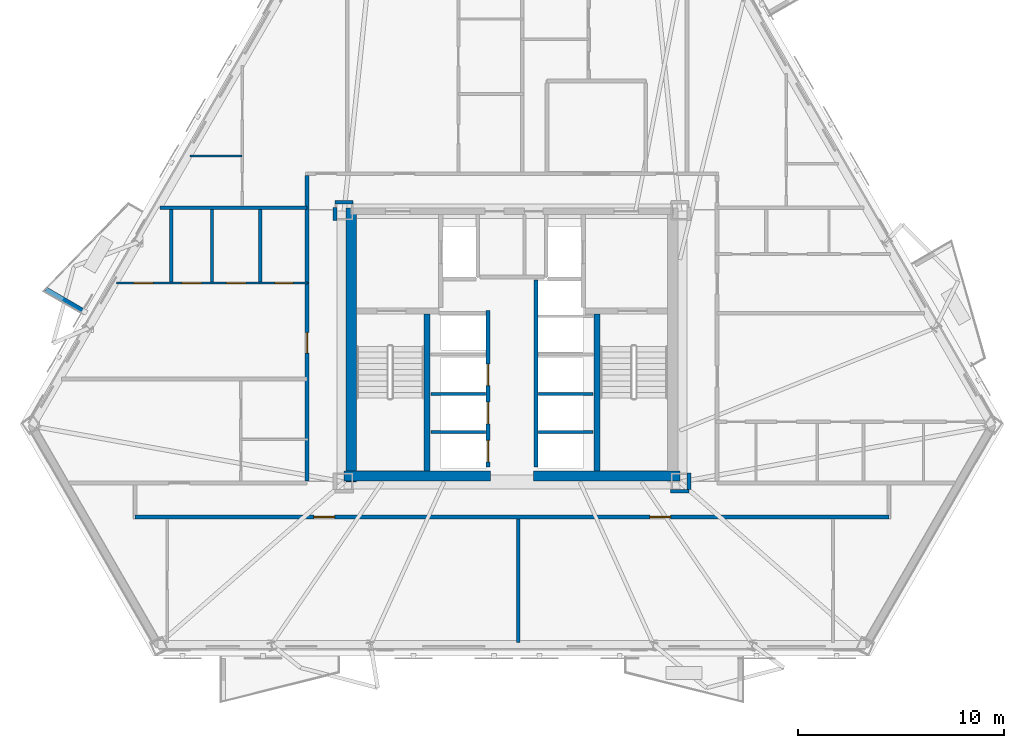
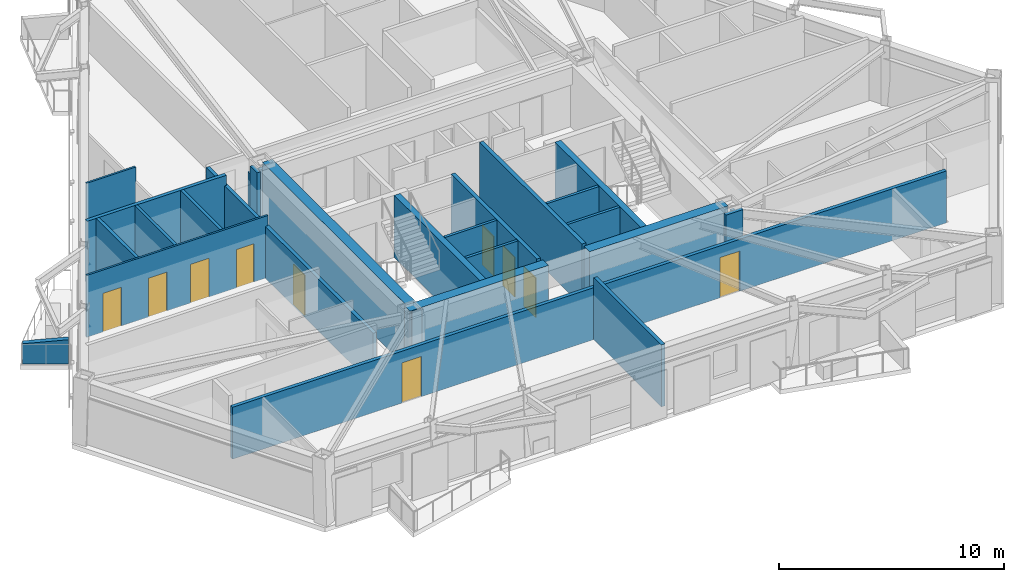
# One storey, part 3 of 11: 25 walls, 10 doors, 10 openings.
"""IFC4 building model written with IfcOpenShell, lengths in metres."""

from ifc_helpers import new_model, si_unit, direction, frame, frame_2d, origin, place, context, subcontext, project, spatial, polyline, rectangle, outline, extrude, material, layer, layer_set, type_object, element, fill, save


model = new_model("IFC4")

# Units and contexts
model_context = context("Model", 3, precision=1e-05, world=origin(), true_north=direction((0.0, 1.0)))
body_context = subcontext(model_context, "Body", "Model", "MODEL_VIEW")
ifc_project = project(units=[si_unit("LENGTHUNIT", "METRE"), si_unit("AREAUNIT", "SQUARE_METRE"), si_unit("VOLUMEUNIT", "CUBIC_METRE"), si_unit("PLANEANGLEUNIT", "RADIAN"), si_unit("MASSUNIT", "GRAM", prefix="KILO")], contexts=[model_context])

# Site, building, storey
site_placement = place(None, origin())
site = spatial("IfcSite", under=ifc_project, at=site_placement, CompositionType="ELEMENT")
building_placement = place(site_placement, origin())
building = spatial("IfcBuilding", under=site, at=building_placement, Name="Oramaril Tower", CompositionType="ELEMENT")
storey_placement = place(building_placement, frame((0.0, 0.0, 89.699951171875)))
storey = spatial("IfcBuildingStorey", under=building, at=storey_placement, Name="L23", CompositionType="ELEMENT", Elevation=89.699951171875)

# Wall
ifc_material_1 = material(Name="Concrete C40/50", Category="concrete")
ifc_layer_1 = layer(ifc_material_1, 0.22998046875)
ifc_layer_set_1 = layer_set([ifc_layer_1], Name="WT-PRP23")
wall_type_1 = type_object("IfcWallType", Name="WT-PRP23", PredefinedType="PARAPET", material=ifc_layer_set_1)
wall_1_placement = place(storey_placement, frame((16.64208984375, 19.32763671875, 0.0), z_axis=(0.0, 0.0, 1.0), x_axis=(-0.866042246008, 0.499970827278, 0.0)))
element("IfcWall", 1, at=wall_1_placement, inside=storey, type_object=wall_type_1, Name="L23 Trapezoidal Balcony Frame Cheek L23-BAL-NW2-R", PredefinedType="PARAPET", context=body_context, shape_type="SweptSolid", body=[
    extrude(outline(polyline([(0.0, 0.0), (2.0419921875, 0.0), (2.0419921875, 1.10009765625), (0.0, 1.320068359375), (0.0, 0.0)])), frame((0.0, 0.114990234375, 0.0), z_axis=(0.0, -1.0, 0.0), x_axis=(1.0, 0.0, 0.0)), (0.0, 0.0, 1.0), 0.22998046875),
])

# Wall, openings, doors
ifc_material_2 = material(Name="Acoustic Gypsum Board Partition")
ifc_layer_2 = layer(ifc_material_2, 0.10009765625)
ifc_layer_set_2 = layer_set([ifc_layer_2], Name="WT-PT10")
wall_type_2 = type_object("IfcWallType", Name="WT-PT10", PredefinedType="PARTITIONING", material=ifc_layer_set_2)
wall_2_placement = place(storey_placement, frame((18.302734375, 20.659912109375, 0.0), z_axis=(0.0, 0.0, 1.0), x_axis=(1.0, 0.0, 0.0)))
wall_2 = element("IfcWall", 2, at=wall_2_placement, inside=storey, type_object=wall_type_2, Name="L23 Interior Partition PT-10", PredefinedType="PARTITIONING", context=body_context, shape_type="SweptSolid", body=[
    extrude(rectangle(XDim=9.29736328125, YDim=0.10009765625, at=frame_2d((4.648681640625, 0.0))), origin(), (0.0, 0.0, 1.0), 3.360107421875),
])
opening_1_placement = place(wall_2_placement, frame((0.8251953125, 0.0, 0.0)))
opening_1 = element("IfcOpeningElement", 3, at=opening_1_placement, cuts=wall_2, Name="Opening D-L23-09", PredefinedType="OPENING", context=body_context, shape_type="SweptSolid", body=[
    extrude(rectangle(XDim=0.949951171875, YDim=2.10009765625, at=frame_2d((0.47509765625, 1.050048828125))), frame((0.0, 0.050048828125, 0.0), z_axis=(0.0, -1.0, 0.0), x_axis=(1.0, 0.0, 0.0)), (0.0, 0.0, 1.0), 0.10009765625),
])
opening_2_placement = place(wall_2_placement, frame((3.16748046875, 0.0, 0.0)))
opening_2 = element("IfcOpeningElement", 4, at=opening_2_placement, cuts=wall_2, Name="Opening D-L23-10", PredefinedType="OPENING", context=body_context, shape_type="SweptSolid", body=[
    extrude(rectangle(XDim=0.949951171875, YDim=2.10009765625, at=frame_2d((0.47509765625, 1.050048828125))), frame((0.0, 0.050048828125, 0.0), z_axis=(0.0, -1.0, 0.0), x_axis=(1.0, 0.0, 0.0)), (0.0, 0.0, 1.0), 0.10009765625),
])
opening_3_placement = place(wall_2_placement, frame((5.32568359375, 0.0, 0.0)))
opening_3 = element("IfcOpeningElement", 5, at=opening_3_placement, cuts=wall_2, Name="Opening D-L23-11", PredefinedType="OPENING", context=body_context, shape_type="SweptSolid", body=[
    extrude(rectangle(XDim=0.949951171875, YDim=2.10009765625, at=frame_2d((0.47509765625, 1.050048828125))), frame((0.0, 0.050048828125, 0.0), z_axis=(0.0, -1.0, 0.0), x_axis=(1.0, 0.0, 0.0)), (0.0, 0.0, 1.0), 0.10009765625),
])
opening_4_placement = place(wall_2_placement, frame((7.686279296875, 0.0, 0.0)))
opening_4 = element("IfcOpeningElement", 6, at=opening_4_placement, cuts=wall_2, Name="Opening D-L23-12", PredefinedType="OPENING", context=body_context, shape_type="SweptSolid", body=[
    extrude(rectangle(XDim=0.8798828125, YDim=2.080078125, at=frame_2d((0.43994140625, 1.0400390625))), frame((0.0, 0.050048828125, 0.0), z_axis=(0.0, -1.0, 0.0), x_axis=(1.0, 0.0, 0.0)), (0.0, 0.0, 1.0), 0.10009765625),
])
ifc_material_3 = material(Name="FSC Brazilian Freijo Hardwood", Category="wood")
door_type_1 = type_object("IfcDoorType", Name="DT-BATH", OperationType="NOTDEFINED", PredefinedType="DOOR", material=ifc_material_3)
door_1_placement = place(opening_4_placement, origin())
door_1 = element("IfcDoor", 7, at=door_1_placement, inside=storey, type_object=door_type_1, Name="L23 Flat L23-U4 Bathroom Door D-L23-12", OperationType="SINGLE_SWING_RIGHT", OverallHeight=2.080078125, OverallWidth=0.8798828125, PredefinedType="DOOR", context=body_context, shape_type="SweptSolid", body=[
    extrude(rectangle(XDim=0.8798828125, YDim=2.080078125, at=frame_2d((0.43994140625, 1.0400390625))), frame((0.0, 0.02490234375, 0.0), z_axis=(0.0, -1.0, 0.0), x_axis=(1.0, 0.0, 0.0)), (0.0, 0.0, 1.0), 0.050048828125),
])
fill(opening_4, door_1)
ifc_material_4 = material(Name="FSC Brazilian Freijo Hardwood", Category="wood")
door_type_2 = type_object("IfcDoorType", Name="DT-STDY", OperationType="NOTDEFINED", PredefinedType="DOOR", material=ifc_material_4)
door_2_placement = place(opening_1_placement, origin())
door_2 = element("IfcDoor", 8, at=door_2_placement, inside=storey, type_object=door_type_2, Name="L23 Flat L23-U4 Breakfast Dining Room Door D-L23-09", OperationType="SINGLE_SWING_LEFT", OverallHeight=2.10009765625, OverallWidth=0.949951171875, PredefinedType="DOOR", context=body_context, shape_type="SweptSolid", body=[
    extrude(rectangle(XDim=0.949951171875, YDim=2.10009765625, at=frame_2d((0.47509765625, 1.050048828125))), frame((0.0, 0.02490234375, 0.0), z_axis=(0.0, -1.0, 0.0), x_axis=(1.0, 0.0, 0.0)), (0.0, 0.0, 1.0), 0.050048828125),
])
fill(opening_1, door_2)
door_3_placement = place(opening_2_placement, origin())
door_3 = element("IfcDoor", 9, at=door_3_placement, inside=storey, type_object=door_type_2, Name="L23 Flat L23-U4 Dining Room Door D-L23-10", OperationType="SINGLE_SWING_RIGHT", OverallHeight=2.10009765625, OverallWidth=0.949951171875, PredefinedType="DOOR", context=body_context, shape_type="SweptSolid", body=[
    extrude(rectangle(XDim=0.949951171875, YDim=2.10009765625, at=frame_2d((0.47509765625, 1.050048828125))), frame((0.0, 0.02490234375, 0.0), z_axis=(0.0, -1.0, 0.0), x_axis=(1.0, 0.0, 0.0)), (0.0, 0.0, 1.0), 0.050048828125),
])
fill(opening_2, door_3)
door_4_placement = place(opening_3_placement, origin())
door_4 = element("IfcDoor", 10, at=door_4_placement, inside=storey, type_object=door_type_2, Name="L23 Flat L23-U4 Kitchen Door D-L23-11", OperationType="SINGLE_SWING_LEFT", OverallHeight=2.10009765625, OverallWidth=0.949951171875, PredefinedType="DOOR", context=body_context, shape_type="SweptSolid", body=[
    extrude(rectangle(XDim=0.949951171875, YDim=2.10009765625, at=frame_2d((0.47509765625, 1.050048828125))), frame((0.0, 0.02490234375, 0.0), z_axis=(0.0, -1.0, 0.0), x_axis=(1.0, 0.0, 0.0)), (0.0, 0.0, 1.0), 0.050048828125),
])
fill(opening_3, door_4)

# Walls
wall_3_placement = place(storey_placement, frame((21.87060546875, 26.840087890625, 0.0), z_axis=(0.0, 0.0, 1.0), x_axis=(1.0, 0.0, 0.0)))
element("IfcWall", 11, at=wall_3_placement, inside=storey, type_object=wall_type_2, Name="L23 Interior Partition PT-10", PredefinedType="PARTITIONING", context=body_context, shape_type="SweptSolid", body=[
    extrude(rectangle(XDim=2.526611328125, YDim=0.10009765625, at=frame_2d((1.26318359375, 0.0))), origin(), (0.0, 0.0, 1.0), 3.360107421875),
])
ifc_material_5 = material(Name="Acoustic Gypsum Board Partition")
ifc_layer_3 = layer(ifc_material_5, 0.139892578125)
ifc_layer_set_3 = layer_set([ifc_layer_3], Name="WT-PT14")
wall_type_3 = type_object("IfcWallType", Name="WT-PT14", PredefinedType="PARTITIONING", material=ifc_layer_set_3)
for number, where, z_axis, x_axis, name in (
    (12, (33.56005859375, 13.419921875, 0.0), (0.0, 0.0, 1.0), (1.0, 0.0, 0.0), "L23 West Lift Divider"),
    (13, (33.56005859375, 15.27001953125, 0.0), (0.0, 0.0, 1.0), (1.0, 0.0, 0.0), "L23 West Lift Divider"),
    (14, (38.780029296875, 13.419921875, 0.0), (0.0, 0.0, 1.0), (1.0, 0.0, 0.0), "L23 East Lift Divider"),
    (15, (38.780029296875, 15.27001953125, 0.0), (0.0, 0.0, 1.0), (1.0, 0.0, 0.0), "L23 East Lift Divider"),
):
    element("IfcWall", number, at=place(storey_placement, frame(where, z_axis=z_axis, x_axis=x_axis)), inside=storey, type_object=wall_type_3, Name=name, PredefinedType="PARTITIONING", context=body_context, shape_type="SweptSolid", body=[
        extrude(rectangle(XDim=2.659912109375, YDim=0.139892578125, at=frame_2d((1.330078125, 0.0))), origin(), (0.0, 0.0, 1.0), 3.360107421875),
    ])
wall_4_placement = place(storey_placement, frame((22.929931640625, 20.714111328125, 0.0), z_axis=(0.0, 0.0, 1.0), x_axis=(0.0, 1.0, 0.0)))
element("IfcWall", 16, at=wall_4_placement, inside=storey, type_object=wall_type_3, Name="L23 Interior Partition PT-14", PredefinedType="PARTITIONING", context=body_context, shape_type="SweptSolid", body=[
    extrude(rectangle(XDim=3.511962890625, YDim=0.139892578125, at=frame_2d((1.755859375, 0.0))), origin(), (0.0, 0.0, 1.0), 3.360107421875),
])
ifc_material_6 = material(Name="Acoustic Gypsum Board Partition")
ifc_layer_4 = layer(ifc_material_6, 0.159912109375)
ifc_layer_set_4 = layer_set([ifc_layer_4], Name="WT-PT16")
wall_type_4 = type_object("IfcWallType", Name="WT-PT16", PredefinedType="PARTITIONING", material=ifc_layer_set_4)
for number, where, z_axis, x_axis, name in (
    (17, (20.9599609375, 20.714111328125, 0.0), (0.0, 0.0, 1.0), (0.0, 1.0, 0.0), "L23 Interior Partition PT-16"),
    (18, (25.280029296875, 20.714111328125, 0.0), (0.0, 0.0, 1.0), (0.0, 1.0, 0.0), "L23 Interior Partition PT-16"),
):
    element("IfcWall", number, at=place(storey_placement, frame(where, z_axis=z_axis, x_axis=x_axis)), inside=storey, type_object=wall_type_4, Name=name, PredefinedType="PARTITIONING", context=body_context, shape_type="SweptSolid", body=[
        extrude(rectangle(XDim=3.511962890625, YDim=0.159912109375, at=frame_2d((1.755859375, 0.0))), origin(), (0.0, 0.0, 1.0), 3.360107421875),
    ])

# Wall, openings, doors
ifc_material_7 = material(Name="Autoclaved Cellular Concrete Block", Category="concrete")
ifc_layer_5 = layer(ifc_material_7, 0.179931640625)
ifc_layer_set_5 = layer_set([ifc_layer_5], Name="WT-PT18")
wall_type_5 = type_object("IfcWallType", Name="WT-PT18", PredefinedType="PARTITIONING", material=ifc_layer_set_5)
wall_5_placement = place(storey_placement, frame((19.199951171875, 9.300048828125, 0.0), z_axis=(0.0, 0.0, 1.0), x_axis=(1.0, 0.0, 0.0)))
wall_5 = element("IfcWall", 19, at=wall_5_placement, inside=storey, type_object=wall_type_5, Name="L23 Interior Partition PT-18", PredefinedType="PARTITIONING", context=body_context, shape_type="SweptSolid", body=[
    extrude(rectangle(XDim=36.60009765625, YDim=0.179931640625, at=frame_2d((18.300048828125, 0.0))), origin(), (0.0, 0.0, 1.0), 2.81396484375),
])
opening_5_placement = place(wall_5_placement, frame((8.684814453125, 0.0, 0.0)))
opening_5 = element("IfcOpeningElement", 20, at=opening_5_placement, cuts=wall_5, Name="Opening D-L23-01", PredefinedType="OPENING", context=body_context, shape_type="SweptSolid", body=[
    extrude(rectangle(XDim=1.0, YDim=2.179931640625, at=frame_2d((0.5, 1.08984375))), frame((0.0, 0.08984375, 0.0), z_axis=(0.0, -1.0, 0.0), x_axis=(1.0, 0.0, 0.0)), (0.0, 0.0, 1.0), 0.179931640625),
])
opening_6_placement = place(wall_5_placement, frame((24.997314453125, 0.0, 0.0)))
opening_6 = element("IfcOpeningElement", 21, at=opening_6_placement, cuts=wall_5, Name="Opening D-L23-02", PredefinedType="OPENING", context=body_context, shape_type="SweptSolid", body=[
    extrude(rectangle(XDim=1.0, YDim=2.179931640625, at=frame_2d((0.5, 1.08984375))), frame((0.0, 0.08984375, 0.0), z_axis=(0.0, -1.0, 0.0), x_axis=(1.0, 0.0, 0.0)), (0.0, 0.0, 1.0), 0.179931640625),
])
ifc_material_8 = material(Name="FSC Brazilian Freijo Hardwood", Category="wood")
door_type_3 = type_object("IfcDoorType", Name="DT-APT", OperationType="NOTDEFINED", PredefinedType="DOOR", material=ifc_material_8)
door_5_placement = place(opening_5_placement, origin())
door_5 = element("IfcDoor", 22, at=door_5_placement, inside=storey, type_object=door_type_3, Name="L23 Flat L23-U1 Kitchen and Studio Apartment Door D-L23-01", OperationType="SINGLE_SWING_LEFT", OverallHeight=2.179931640625, OverallWidth=1.0, PredefinedType="DOOR", context=body_context, shape_type="SweptSolid", body=[
    extrude(rectangle(XDim=1.0, YDim=2.179931640625, at=frame_2d((0.5, 1.08984375))), frame((0.0, 0.02490234375, 0.0), z_axis=(0.0, -1.0, 0.0), x_axis=(1.0, 0.0, 0.0)), (0.0, 0.0, 1.0), 0.050048828125),
])
fill(opening_5, door_5)
door_6_placement = place(opening_6_placement, origin())
door_6 = element("IfcDoor", 23, at=door_6_placement, inside=storey, type_object=door_type_3, Name="L23 Flat L23-U2 Kitchen and Studio Apartment Door D-L23-02", OperationType="SINGLE_SWING_RIGHT", OverallHeight=2.179931640625, OverallWidth=1.0, PredefinedType="DOOR", context=body_context, shape_type="SweptSolid", body=[
    extrude(rectangle(XDim=1.0, YDim=2.179931640625, at=frame_2d((0.5, 1.08984375))), frame((0.0, 0.02490234375, 0.0), z_axis=(0.0, -1.0, 0.0), x_axis=(1.0, 0.0, 0.0)), (0.0, 0.0, 1.0), 0.050048828125),
])
fill(opening_6, door_6)

# Walls
wall_6_placement = place(storey_placement, frame((45.205078125, 10.550048828125, 0.0), z_axis=(0.0, 0.0, 1.0), x_axis=(1.0, 0.0, 0.0)))
element("IfcWall", 24, at=wall_6_placement, inside=storey, type_object=wall_type_5, Name="L23 Interior Partition PT-18", PredefinedType="PARTITIONING", context=body_context, shape_type="SweptSolid", body=[
    extrude(rectangle(XDim=0.889892578125, YDim=0.179931640625, at=frame_2d((0.44482421875, 0.0))), origin(), (0.0, 0.0, 1.0), 3.360107421875),
])
wall_7_placement = place(storey_placement, frame((20.415771484375, 24.320068359375, 0.0), z_axis=(0.0, 0.0, 1.0), x_axis=(1.0, 0.0, 0.0)))
element("IfcWall", 25, at=wall_7_placement, inside=storey, type_object=wall_type_5, Name="L23 Interior Partition PT-18", PredefinedType="PARTITIONING", context=body_context, shape_type="SweptSolid", body=[
    extrude(rectangle(XDim=7.13427734375, YDim=0.179931640625, at=frame_2d((3.567138671875, 0.0))), origin(), (0.0, 0.0, 1.0), 3.360107421875),
])
wall_8_placement = place(storey_placement, frame((28.909912109375, 24.590087890625, 0.0), z_axis=(0.0, 0.0, 1.0), x_axis=(1.0, 0.0, 0.0)))
element("IfcWall", 26, at=wall_8_placement, inside=storey, type_object=wall_type_5, Name="L23 Interior Partition PT-18", PredefinedType="PARTITIONING", context=body_context, shape_type="SweptSolid", body=[
    extrude(rectangle(XDim=0.880126953125, YDim=0.179931640625, at=frame_2d((0.43994140625, 0.0))), origin(), (0.0, 0.0, 1.0), 2.81396484375),
])

# Wall, opening, door
wall_9_placement = place(storey_placement, frame((27.550048828125, 11.0439453125, 0.0), z_axis=(0.0, 0.0, 1.0), x_axis=(0.0, 1.0, 0.0)))
wall_9 = element("IfcWall", 27, at=wall_9_placement, inside=storey, type_object=wall_type_5, Name="L23 Interior Partition PT-18", PredefinedType="PARTITIONING", context=body_context, shape_type="SweptSolid", body=[
    extrude(rectangle(XDim=14.83203125, YDim=0.179931640625, at=frame_2d((7.416015625, 0.0))), origin(), (0.0, 0.0, 1.0), 2.81396484375),
])
opening_7_placement = place(wall_9_placement, frame((6.20849609375, 0.0, 0.0)))
opening_7 = element("IfcOpeningElement", 28, at=opening_7_placement, cuts=wall_9, Name="Opening D-L23-25", PredefinedType="OPENING", context=body_context, shape_type="SweptSolid", body=[
    extrude(rectangle(XDim=1.0, YDim=2.179931640625, at=frame_2d((0.5, 1.08984375))), frame((0.0, 0.08984375, 0.0), z_axis=(0.0, -1.0, 0.0), x_axis=(1.0, 0.0, 0.0)), (0.0, 0.0, 1.0), 0.179931640625),
])
door_7_placement = place(opening_7_placement, origin())
door_7 = element("IfcDoor", 29, at=door_7_placement, inside=storey, type_object=door_type_3, Name="L23 Flat L23-U4 Studio Apartment Door D-L23-25", OperationType="SINGLE_SWING_LEFT", OverallHeight=2.179931640625, OverallWidth=1.0, PredefinedType="DOOR", context=body_context, shape_type="SweptSolid", body=[
    extrude(rectangle(XDim=1.0, YDim=2.179931640625, at=frame_2d((0.5, 1.08984375))), frame((0.0, 0.02490234375, 0.0), z_axis=(0.0, -1.0, 0.0), x_axis=(1.0, 0.0, 0.0)), (0.0, 0.0, 1.0), 0.050048828125),
])
fill(opening_7, door_7)

# Walls
wall_10_placement = place(storey_placement, frame((28.909912109375, 23.7099609375, 0.0), z_axis=(0.0, 0.0, 1.0), x_axis=(0.0, 1.0, 0.0)))
element("IfcWall", 30, at=wall_10_placement, inside=storey, type_object=wall_type_5, Name="L23 Interior Partition PT-18", PredefinedType="PARTITIONING", context=body_context, shape_type="SweptSolid", body=[
    extrude(rectangle(XDim=0.610107421875, YDim=0.179931640625, at=frame_2d((0.30517578125, 0.0))), origin(), (0.0, 0.0, 1.0), 3.360107421875),
])
wall_11_placement = place(storey_placement, frame((37.800048828125, 3.194580078125, 0.0), z_axis=(0.0, 0.0, 1.0), x_axis=(0.0, 1.0, 0.0)))
element("IfcWall", 31, at=wall_11_placement, inside=storey, type_object=wall_type_5, Name="L23 Interior Partition PT-18", PredefinedType="PARTITIONING", context=body_context, shape_type="SweptSolid", body=[
    extrude(rectangle(XDim=6.011474609375, YDim=0.179931640625, at=frame_2d((3.005859375, 0.0))), origin(), (0.0, 0.0, 1.0), 3.360107421875),
])
wall_12_placement = place(storey_placement, frame((46.090087890625, 10.64404296875, 0.0), z_axis=(0.0, 0.0, 1.0), x_axis=(0.0, 1.0, 0.0)))
element("IfcWall", 32, at=wall_12_placement, inside=storey, type_object=wall_type_5, Name="L23 Interior Partition PT-18", PredefinedType="PARTITIONING", context=body_context, shape_type="SweptSolid", body=[
    extrude(rectangle(XDim=0.801025390625, YDim=0.179931640625, at=frame_2d((0.400390625, 0.0))), origin(), (0.0, 0.0, 1.0), 2.81396484375),
])
ifc_material_9 = material(Name="Concrete C50/60", Category="concrete")
ifc_layer_6 = layer(ifc_material_9, 0.300048828125)
ifc_layer_set_6 = layer_set([ifc_layer_6], Name="WT-SH30")
wall_type_6 = type_object("IfcWallType", Name="WT-SH30", PredefinedType="SHEAR", material=ifc_layer_set_6)
for number, where, z_axis, x_axis, name in (
    (33, (33.3798828125, 11.5400390625, 0.0), (0.0, 0.0, 1.0), (0.0, 1.0, 0.0), "L23 Core Shear Wall CW-ST1E"),
    (34, (41.6201171875, 11.5400390625, 0.0), (0.0, 0.0, 1.0), (0.0, 1.0, 0.0), "L23 Core Shear Wall CW-ST2W"),
):
    element("IfcWall", number, at=place(storey_placement, frame(where, z_axis=z_axis, x_axis=x_axis)), inside=storey, type_object=wall_type_6, Name=name, PredefinedType="SHEAR", context=body_context, shape_type="SweptSolid", body=[
        extrude(rectangle(XDim=7.619873046875, YDim=0.300048828125, at=frame_2d((3.81005859375, 0.0))), origin(), (0.0, 0.0, 1.0), 3.360107421875),
    ])
ifc_material_10 = material(Name="Concrete C50/60", Category="concrete")
ifc_layer_7 = layer(ifc_material_10, 0.5)
ifc_layer_set_7 = layer_set([ifc_layer_7], Name="WT-SH50")
wall_type_7 = type_object("IfcWallType", Name="WT-SH50", PredefinedType="SHEAR", material=ifc_layer_set_7)
wall_13_placement = place(storey_placement, frame((29.68994140625, 11.0, 0.0), z_axis=(0.0, 0.0, 1.0), x_axis=(0.0, 1.0, 0.0)))
element("IfcWall", 35, at=wall_13_placement, inside=storey, type_object=wall_type_7, Name="L23 Core Shear Wall CW-W", PredefinedType="SHEAR", context=body_context, shape_type="SweptSolid", body=[
    extrude(rectangle(XDim=13.300048828125, YDim=0.5, at=frame_2d((6.64990234375, 0.0))), origin(), (0.0, 0.0, 1.0), 3.360107421875),
])
for number, where, z_axis, x_axis, name in (
    (36, (29.35009765625, 11.2900390625, 0.0), (0.0, 0.0, 1.0), (1.0, 0.0, 0.0), "L23 Core Shear Wall CW-SW"),
    (37, (38.550048828125, 11.2900390625, 0.0), (0.0, 0.0, 1.0), (1.0, 0.0, 0.0), "L23 Core Shear Wall CW-SE"),
):
    element("IfcWall", number, at=place(storey_placement, frame(where, z_axis=z_axis, x_axis=x_axis)), inside=storey, type_object=wall_type_7, Name=name, PredefinedType="SHEAR", context=body_context, shape_type="SweptSolid", body=[
        extrude(rectangle(XDim=7.099853515625, YDim=0.5, at=frame_2d((3.5498046875, 0.0))), origin(), (0.0, 0.0, 1.0), 3.360107421875),
    ])

# Wall, openings, doors
ifc_material_11 = material(Name="Autoclaved Cellular Concrete Block", Category="concrete")
ifc_layer_8 = layer(ifc_material_11, 0.199951171875)
ifc_layer_set_8 = layer_set([ifc_layer_8], Name="WT-SHF20")
wall_type_8 = type_object("IfcWallType", Name="WT-SHF20", PredefinedType="PARTITIONING", material=ifc_layer_set_8)
wall_14_placement = place(storey_placement, frame((36.340087890625, 11.719970703125, 0.0), z_axis=(0.0, 0.0, 1.0), x_axis=(0.0, 1.0, 0.0)))
wall_14 = element("IfcWall", 38, at=wall_14_placement, inside=storey, type_object=wall_type_8, Name="L23 West Lift Bank Front Wall", PredefinedType="PARTITIONING", context=body_context, shape_type="SweptSolid", body=[
    extrude(rectangle(XDim=7.60009765625, YDim=0.199951171875, at=frame_2d((3.800048828125, 0.0))), origin(), (0.0, 0.0, 1.0), 3.360107421875),
])
opening_8_placement = place(wall_14_placement, frame((0.2548828125, 0.0, 0.0)))
opening_8 = element("IfcOpeningElement", 39, at=opening_8_placement, cuts=wall_14, Name="Opening LD-L23-LP-L1", PredefinedType="OPENING", context=body_context, shape_type="SweptSolid", body=[
    extrude(rectangle(XDim=1.050048828125, YDim=2.14990234375, at=frame_2d((0.52490234375, 1.074951171875))), frame((0.0, 0.10009765625, 0.0), z_axis=(0.0, -1.0, 0.0), x_axis=(1.0, 0.0, 0.0)), (0.0, 0.0, 1.0), 0.199951171875),
])
opening_9_placement = place(wall_14_placement, frame((2.10498046875, 0.0, 0.0)))
opening_9 = element("IfcOpeningElement", 40, at=opening_9_placement, cuts=wall_14, Name="Opening LD-L23-LP-L2", PredefinedType="OPENING", context=body_context, shape_type="SweptSolid", body=[
    extrude(rectangle(XDim=1.050048828125, YDim=2.14990234375, at=frame_2d((0.52490234375, 1.074951171875))), frame((0.0, 0.10009765625, 0.0), z_axis=(0.0, -1.0, 0.0), x_axis=(1.0, 0.0, 0.0)), (0.0, 0.0, 1.0), 0.199951171875),
])
opening_10_placement = place(wall_14_placement, frame((3.955078125, 0.0, 0.0)))
opening_10 = element("IfcOpeningElement", 41, at=opening_10_placement, cuts=wall_14, Name="Opening LD-L23-LP-L3", PredefinedType="OPENING", context=body_context, shape_type="SweptSolid", body=[
    extrude(rectangle(XDim=1.050048828125, YDim=2.14990234375, at=frame_2d((0.52490234375, 1.074951171875))), frame((0.0, 0.10009765625, 0.0), z_axis=(0.0, -1.0, 0.0), x_axis=(1.0, 0.0, 0.0)), (0.0, 0.0, 1.0), 0.199951171875),
])
ifc_material_12 = material(Name="Stainless Steel 316L", Category="steel")
door_type_4 = type_object("IfcDoorType", Name="DT-LD2", OperationType="NOTDEFINED", PredefinedType="DOOR", material=ifc_material_12)
door_8_placement = place(opening_8_placement, origin())
door_8 = element("IfcDoor", 42, at=door_8_placement, inside=storey, type_object=door_type_4, Name="L23 Lift LP-L1 Sliding Landing Door", OperationType="SLIDING_TO_LEFT", OverallHeight=2.14990234375, OverallWidth=1.050048828125, PredefinedType="DOOR", context=body_context, shape_type="SweptSolid", body=[
    extrude(rectangle(XDim=1.050048828125, YDim=2.14990234375, at=frame_2d((0.52490234375, 1.074951171875))), frame((0.0, 0.02490234375, 0.0), z_axis=(0.0, -1.0, 0.0), x_axis=(1.0, 0.0, 0.0)), (0.0, 0.0, 1.0), 0.050048828125),
])
fill(opening_8, door_8)
door_9_placement = place(opening_9_placement, origin())
door_9 = element("IfcDoor", 43, at=door_9_placement, inside=storey, type_object=door_type_4, Name="L23 Lift LP-L2 Sliding Landing Door", OperationType="SLIDING_TO_RIGHT", OverallHeight=2.14990234375, OverallWidth=1.050048828125, PredefinedType="DOOR", context=body_context, shape_type="SweptSolid", body=[
    extrude(rectangle(XDim=1.050048828125, YDim=2.14990234375, at=frame_2d((0.52490234375, 1.074951171875))), frame((0.0, 0.02490234375, 0.0), z_axis=(0.0, -1.0, 0.0), x_axis=(1.0, 0.0, 0.0)), (0.0, 0.0, 1.0), 0.050048828125),
])
fill(opening_9, door_9)
door_10_placement = place(opening_10_placement, origin())
door_10 = element("IfcDoor", 44, at=door_10_placement, inside=storey, type_object=door_type_4, Name="L23 Lift LP-L3 Sliding Landing Door", OperationType="SLIDING_TO_LEFT", OverallHeight=2.14990234375, OverallWidth=1.050048828125, PredefinedType="DOOR", context=body_context, shape_type="SweptSolid", body=[
    extrude(rectangle(XDim=1.050048828125, YDim=2.14990234375, at=frame_2d((0.52490234375, 1.074951171875))), frame((0.0, 0.02490234375, 0.0), z_axis=(0.0, -1.0, 0.0), x_axis=(1.0, 0.0, 0.0)), (0.0, 0.0, 1.0), 0.050048828125),
])
fill(opening_10, door_10)

# Wall
wall_15_placement = place(storey_placement, frame((38.659912109375, 11.719970703125, 0.0), z_axis=(0.0, 0.0, 1.0), x_axis=(0.0, 1.0, 0.0)))
element("IfcWall", 45, at=wall_15_placement, inside=storey, type_object=wall_type_8, Name="L23 East Lift Bank Front Wall", PredefinedType="PARTITIONING", context=body_context, shape_type="SweptSolid", body=[
    extrude(rectangle(XDim=9.10009765625, YDim=0.199951171875, at=frame_2d((4.550048828125, 0.0))), origin(), (0.0, 0.0, 1.0), 3.360107421875),
])

save(model, "model.ifc")
